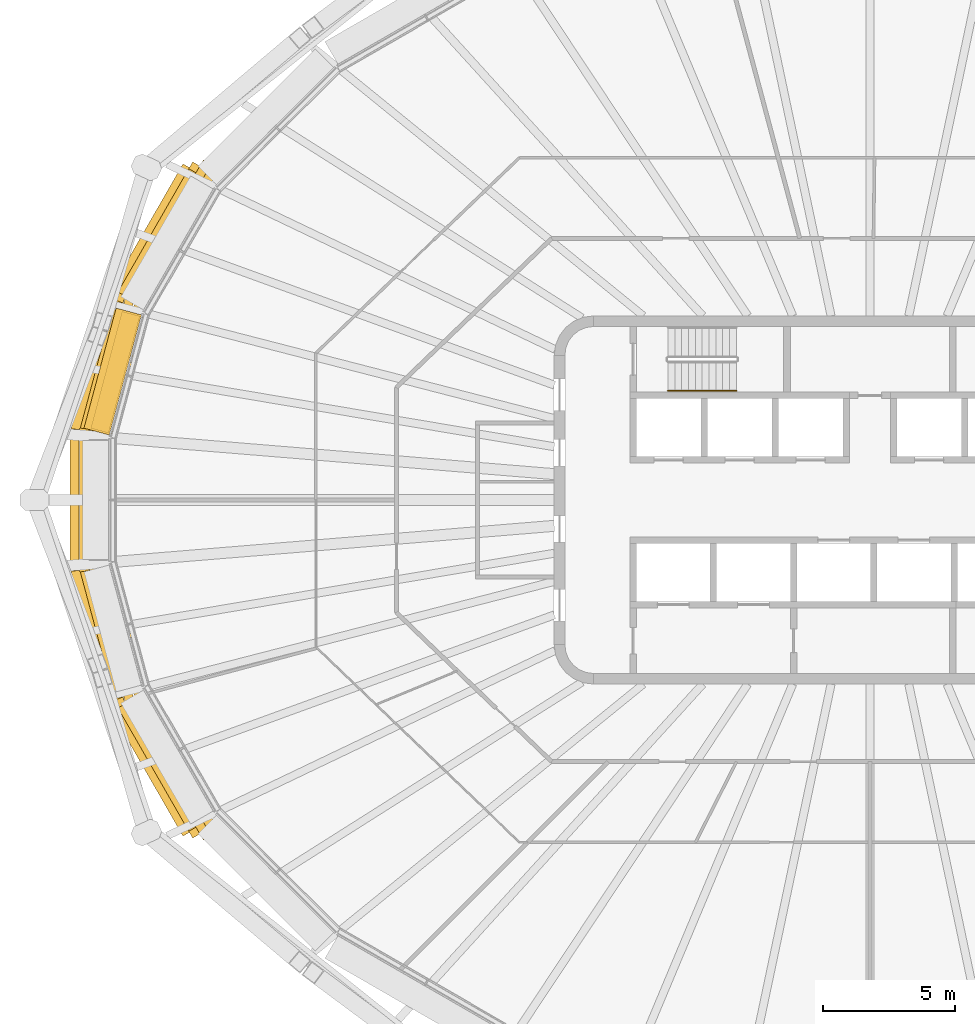
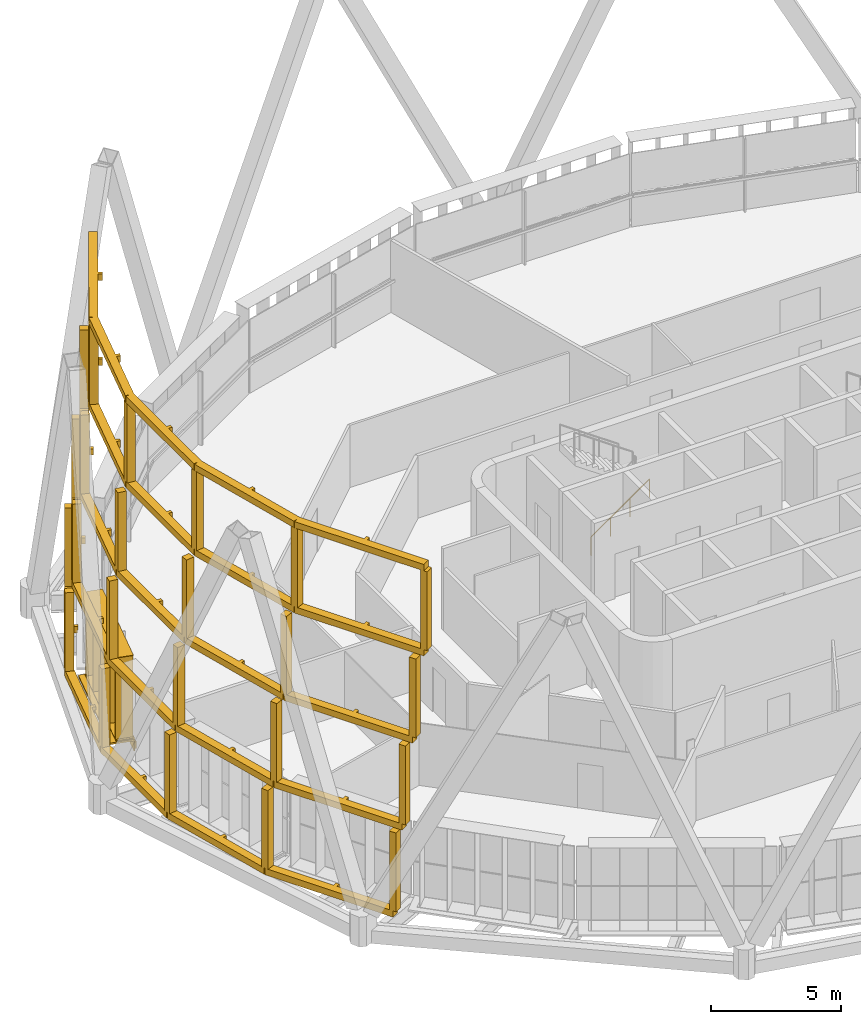
# One storey, part 18 of 22: 3 shading devices, 1 railing.
"""IFC4 building model written with IfcOpenShell, lengths in metres."""

from ifc_helpers import new_model, si_unit, direction, frame, origin, origin_2d, place, context, subcontext, project, spatial, polyline, rectangle, circle, outline, extrude, material, type_object, element, save


model = new_model("IFC4")

# Units and contexts
model_context = context("Model", 3, precision=1e-05, world=origin(), true_north=direction((0.0, 1.0)))
body_context = subcontext(model_context, "Body", "Model", "MODEL_VIEW")
ifc_project = project(units=[si_unit("LENGTHUNIT", "METRE"), si_unit("AREAUNIT", "SQUARE_METRE"), si_unit("VOLUMEUNIT", "CUBIC_METRE"), si_unit("PLANEANGLEUNIT", "RADIAN"), si_unit("MASSUNIT", "GRAM", prefix="KILO")], contexts=[model_context])

# Site, building, storey
site_placement = place(None, origin())
site = spatial("IfcSite", under=ifc_project, at=site_placement, CompositionType="ELEMENT")
building_placement = place(site_placement, origin())
building = spatial("IfcBuilding", under=site, at=building_placement, Name="Sahrelin Media Tower", CompositionType="ELEMENT")
storey_placement = place(building_placement, frame((0.0, 0.0, 283.0)))
storey = spatial("IfcBuildingStorey", under=building, at=storey_placement, Name="L62", CompositionType="ELEMENT", Elevation=283.0)

# Shading devices
ifc_material_1 = material(Name="Dark bronze anodised aluminium 6063-T6", Category="aluminium")
shading_device_type_1 = type_object("IfcShadingDeviceType", Name="Deep frame", PredefinedType="USERDEFINED", material=ifc_material_1)
shading_device_1_placement = place(storey_placement, frame((-24.890380859375, 11.89697265625, 0.0), z_axis=(0.0, 0.0, 1.0), x_axis=(0.500011000363, 0.866019052629, 0.0)))
element("IfcShadingDevice", 1, at=shading_device_1_placement, inside=storey, type_object=shading_device_type_1, Name="L62:FRAME:F5-6", ObjectType="FRAME", PredefinedType="USERDEFINED", context=body_context, shape_type="SweptSolid", body=[
    extrude(rectangle(XDim=0.300048828125, YDim=0.35009765625, at=origin_2d()), frame((0.0, 1.324951171875, 0.14990234375), z_axis=(0.0, 0.0, 1.0), x_axis=(-1.0, 0.0, 0.0)), (0.0, 0.0, 1.0), 3.7001953125),
    extrude(rectangle(XDim=0.300048828125, YDim=0.35009765625, at=origin_2d()), frame((-5.679931640625, 1.313720703125, 0.14990234375), z_axis=(0.0, 0.0, 1.0), x_axis=(-0.991436202368, -0.130591947046, 0.0)), (0.0, 0.0, 1.0), 3.7001953125),
    extrude(rectangle(XDim=0.300048828125, YDim=0.35009765625, at=origin_2d()), frame((-10.772705078125, -0.05078125, 0.14990234375), z_axis=(0.0, 0.0, 1.0), x_axis=(-0.923862165937, -0.382725356294, 0.0)), (0.0, 0.0, 1.0), 3.7001953125),
    extrude(rectangle(XDim=0.300048828125, YDim=0.35009765625, at=origin_2d()), frame((-15.17578125, -2.593017578125, 0.14990234375), z_axis=(0.0, 0.0, 1.0), x_axis=(-0.793352277801, -0.608762813671, 0.0)), (0.0, 0.0, 1.0), 3.7001953125),
    extrude(rectangle(XDim=0.300048828125, YDim=0.35009765625, at=origin_2d()), frame((-18.90380859375, -6.3212890625, 0.14990234375), z_axis=(0.0, 0.0, 1.0), x_axis=(-0.608762813671, -0.793352277801, 0.0)), (0.0, 0.0, 1.0), 3.7001953125),
    extrude(rectangle(XDim=0.300048828125, YDim=0.35009765625, at=origin_2d()), frame((-21.753662109375, -11.234619140625, 0.14990234375), z_axis=(0.0, 0.0, 1.0), x_axis=(-0.500010580459, -0.866019295067, 0.0)), (0.0, 0.0, 1.0), 3.7001953125),
    extrude(outline(polyline([(-21.905029296875, -11.146728515625), (-21.602294921875, -11.322265625), (-20.25830078125, -9.0048828125), (-20.10693359375, -9.09228515625), (-20.031982421875, -8.96240234375), (-20.18310546875, -8.875244140625), (-18.763916015625, -6.4287109375), (-16.968994140625, -4.6337890625), (-16.849853515625, -4.753173828125), (-16.743896484375, -4.647216796875), (-16.863037109375, -4.52783203125), (-15.068359375, -2.733154296875), (-12.95166015625, -1.510986328125), (-12.867431640625, -1.656982421875), (-12.737548828125, -1.58203125), (-12.82177734375, -1.43603515625), (-10.705078125, -0.214111328125), (-8.25341796875, 0.44287109375), (-8.209716796875, 0.280029296875), (-8.06494140625, 0.31884765625), (-8.108642578125, 0.481689453125), (-5.65673828125, 1.138671875), (-2.82861328125, 1.144287109375), (-2.82861328125, 0.969970703125), (-2.678466796875, 0.969970703125), (-2.678466796875, 1.144775390625), (0.000244140625, 1.14990234375), (-0.000244140625, 1.5), (-5.680419921875, 1.48876953125), (-5.679931640625, 1.313720703125), (-5.72509765625, 1.482666015625), (-10.818115234375, 0.1181640625), (-10.772705078125, -0.05078125), (-10.860107421875, 0.1005859375), (-15.26318359375, -2.44140625), (-15.17578125, -2.593017578125), (-15.299560546875, -2.46923828125), (-19.027587890625, -6.197509765625), (-18.90380859375, -6.3212890625), (-19.055419921875, -6.2333984375), (-21.905029296875, -11.146728515625)])), frame((0.0, 0.0, -0.14990234375)), (0.0, 0.0, 1.0), 0.2998046875),
    extrude(rectangle(XDim=0.300048828125, YDim=0.35009765625, at=origin_2d()), frame((0.251708984375, 1.041748046875, 4.14990234375), z_axis=(0.0, 0.0, 1.0), x_axis=(-1.0, 0.0, 0.0)), (0.0, 0.0, 1.0), 3.7001953125),
    extrude(rectangle(XDim=0.300048828125, YDim=0.35009765625, at=origin_2d()), frame((-5.44775390625, 1.030517578125, 4.14990234375), z_axis=(0.0, 0.0, 1.0), x_axis=(-0.991447594891, -0.130505427419, 0.0)), (0.0, 0.0, 1.0), 3.7001953125),
    extrude(rectangle(XDim=0.300048828125, YDim=0.35009765625, at=origin_2d()), frame((-10.577880859375, -0.34423828125, 4.14990234375), z_axis=(0.0, 0.0, 1.0), x_axis=(-0.923876860854, -0.382689882252, 0.0)), (0.0, 0.0, 1.0), 3.7001953125),
    extrude(rectangle(XDim=0.300048828125, YDim=0.35009765625, at=origin_2d()), frame((-15.019287109375, -2.908447265625, 4.14990234375), z_axis=(0.0, 0.0, 1.0), x_axis=(-0.793362902596, -0.608748966968, 0.0)), (0.0, 0.0, 1.0), 3.7001953125),
    extrude(rectangle(XDim=0.300048828125, YDim=0.35009765625, at=origin_2d()), frame((-18.774658203125, -6.663818359375, 4.14990234375), z_axis=(0.0, 0.0, 1.0), x_axis=(-0.608811275668, -0.793315089117, 0.0)), (0.0, 0.0, 1.0), 3.7001953125),
    extrude(rectangle(XDim=0.300048828125, YDim=0.35009765625, at=origin_2d()), frame((-21.63427734375, -11.593994140625, 4.14990234375), z_axis=(0.0, 0.0, 1.0), x_axis=(-0.499968258175, -0.86604372916, 0.0)), (0.0, 0.0, 1.0), 3.7001953125),
    extrude(outline(polyline([(-21.78564453125, -11.50634765625), (-21.48291015625, -11.681884765625), (-20.1337890625, -9.356201171875), (-19.982666015625, -9.443603515625), (-19.90771484375, -9.313720703125), (-20.05859375, -9.226318359375), (-18.634765625, -6.771484375), (-16.826171875, -4.962890625), (-16.706787109375, -5.082275390625), (-16.600830078125, -4.97607421875), (-16.72021484375, -4.856689453125), (-14.91162109375, -3.04833984375), (-12.77587890625, -1.815185546875), (-12.691650390625, -1.96142578125), (-12.561767578125, -1.886474609375), (-12.64599609375, -1.740234375), (-10.510498046875, -0.50732421875), (-8.0400390625, 0.154541015625), (-7.996337890625, -0.00830078125), (-7.8515625, 0.030517578125), (-7.89501953125, 0.193603515625), (-5.424560546875, 0.85546875), (-2.586669921875, 0.861083984375), (-2.586669921875, 0.686767578125), (-2.4365234375, 0.686767578125), (-2.4365234375, 0.861328125), (0.251953125, 0.86669921875), (0.251220703125, 1.216796875), (-5.447998046875, 1.205322265625), (-5.44775390625, 1.030517578125), (-5.4931640625, 1.199462890625), (-10.623291015625, -0.17529296875), (-10.577880859375, -0.34423828125), (-10.665283203125, -0.192626953125), (-15.106689453125, -2.7568359375), (-15.019287109375, -2.908447265625), (-15.142822265625, -2.78466796875), (-18.8984375, -6.5400390625), (-18.774658203125, -6.663818359375), (-18.926025390625, -6.576171875), (-21.78564453125, -11.50634765625)])), frame((0.0, 0.0, 3.85009765625)), (0.0, 0.0, 1.0), 0.2998046875),
    extrude(rectangle(XDim=0.300048828125, YDim=0.35009765625, at=origin_2d()), frame((0.530517578125, 0.72998046875, 8.14990234375), z_axis=(0.0, 0.0, 1.0), x_axis=(-1.0, 0.0, 0.0)), (0.0, 0.0, 1.0), 3.7001953125),
    extrude(rectangle(XDim=0.300048828125, YDim=0.35009765625, at=origin_2d()), frame((-5.190185546875, 0.718505859375, 8.14990234375), z_axis=(0.0, 0.0, 1.0), x_axis=(-0.991449189241, -0.130493314592, 0.0)), (0.0, 0.0, 1.0), 3.7001953125),
    extrude(rectangle(XDim=0.300048828125, YDim=0.35009765625, at=origin_2d()), frame((-10.362548828125, -0.667236328125, 8.14990234375), z_axis=(0.0, 0.0, 1.0), x_axis=(-0.923862165937, -0.382725356294, 0.0)), (0.0, 0.0, 1.0), 3.7001953125),
    extrude(rectangle(XDim=0.300048828125, YDim=0.35009765625, at=origin_2d()), frame((-14.84716796875, -3.25634765625, 8.14990234375), z_axis=(0.0, 0.0, 1.0), x_axis=(-0.793400087474, -0.608700502051, 0.0)), (0.0, 0.0, 1.0), 3.7001953125),
    extrude(rectangle(XDim=0.300048828125, YDim=0.35009765625, at=origin_2d()), frame((-18.63330078125, -7.042724609375, 8.14990234375), z_axis=(0.0, 0.0, 1.0), x_axis=(-0.608762813671, -0.793352277801, 0.0)), (0.0, 0.0, 1.0), 3.7001953125),
    extrude(rectangle(XDim=0.300048828125, YDim=0.35009765625, at=origin_2d()), frame((-21.503662109375, -11.9912109375, 8.14990234375), z_axis=(0.0, 0.0, 1.0), x_axis=(-0.499968258175, -0.86604372916, 0.0)), (0.0, 0.0, 1.0), 3.7001953125),
    extrude(outline(polyline([(-21.65478515625, -11.903564453125), (-21.352294921875, -12.0791015625), (-19.997802734375, -9.744140625), (-19.8466796875, -9.83154296875), (-19.771728515625, -9.70166015625), (-19.922607421875, -9.614501953125), (-18.493408203125, -7.150390625), (-16.66943359375, -5.326416015625), (-16.55029296875, -5.445556640625), (-16.444091796875, -5.339599609375), (-16.5634765625, -5.22021484375), (-14.73974609375, -3.396484375), (-12.582275390625, -2.15087890625), (-12.498046875, -2.296875), (-12.3681640625, -2.221923828125), (-12.452392578125, -2.07568359375), (-10.294921875, -0.830322265625), (-7.8037109375, -0.16259765625), (-7.760009765625, -0.32568359375), (-7.614990234375, -0.286865234375), (-7.65869140625, -0.123779296875), (-5.1669921875, 0.543701171875), (-2.318603515625, 0.54931640625), (-2.318603515625, 0.375), (-2.16845703125, 0.375), (-2.16845703125, 0.549560546875), (0.53076171875, 0.554931640625), (0.530029296875, 0.905029296875), (-5.190673828125, 0.8935546875), (-5.190185546875, 0.718505859375), (-5.235595703125, 0.8876953125), (-10.407958984375, -0.498291015625), (-10.362548828125, -0.667236328125), (-10.4501953125, -0.515625), (-14.9345703125, -3.104736328125), (-14.84716796875, -3.25634765625), (-14.970947265625, -3.132568359375), (-18.757080078125, -6.9189453125), (-18.63330078125, -7.042724609375), (-18.784912109375, -6.954833984375), (-21.65478515625, -11.903564453125)])), frame((0.0, 0.0, 7.85009765625)), (0.0, 0.0, 1.0), 0.2998046875),
    extrude(rectangle(XDim=0.300048828125, YDim=0.35009765625, at=origin_2d()), frame((0.836669921875, 0.389892578125, 12.14990234375), z_axis=(0.0, 0.0, 1.0), x_axis=(-0.999999995051, 9.9483767e-05, 0.0)), (0.0, 0.0, 1.0), 3.7001953125),
    extrude(rectangle(XDim=0.300048828125, YDim=0.35009765625, at=origin_2d()), frame((-4.9072265625, 0.378662109375, 12.14990234375), z_axis=(0.0, 0.0, 1.0), x_axis=(-0.991447594891, -0.130505427419, 0.0)), (0.0, 0.0, 1.0), 3.7001953125),
    extrude(rectangle(XDim=0.300048828125, YDim=0.35009765625, at=origin_2d()), frame((-10.126708984375, -1.02001953125, 12.14990234375), z_axis=(0.0, 0.0, 1.0), x_axis=(-0.923876860854, -0.382689882252, 0.0)), (0.0, 0.0, 1.0), 3.7001953125),
    extrude(rectangle(XDim=0.300048828125, YDim=0.35009765625, at=origin_2d()), frame((-14.65966796875, -3.63720703125, 12.14990234375), z_axis=(0.0, 0.0, 1.0), x_axis=(-0.793352277801, -0.608762813671, 0.0)), (0.0, 0.0, 1.0), 3.7001953125),
    extrude(rectangle(XDim=0.300048828125, YDim=0.35009765625, at=origin_2d()), frame((-18.48046875, -7.4580078125, 12.14990234375), z_axis=(0.0, 0.0, 1.0), x_axis=(-0.608748966968, -0.793362902596, 0.0)), (0.0, 0.0, 1.0), 3.7001953125),
    extrude(rectangle(XDim=0.300048828125, YDim=0.35009765625, at=origin_2d()), frame((-21.3623046875, -12.4267578125, 12.14990234375), z_axis=(0.0, 0.0, 1.0), x_axis=(-0.500010580459, -0.866019295067, 0.0)), (0.0, 0.0, 1.0), 3.7001953125),
    extrude(outline(polyline([(-21.513427734375, -12.3388671875), (-21.210693359375, -12.514404296875), (-19.850830078125, -10.16943359375), (-19.699462890625, -10.2568359375), (-19.62451171875, -10.126953125), (-19.775390625, -10.039794921875), (-18.340576171875, -7.565673828125), (-16.499267578125, -5.724365234375), (-16.380126953125, -5.843505859375), (-16.27392578125, -5.737548828125), (-16.393310546875, -5.618408203125), (-14.552001953125, -3.777099609375), (-12.37060546875, -2.517578125), (-12.2861328125, -2.663818359375), (-12.15625, -2.588623046875), (-12.240478515625, -2.442626953125), (-10.05908203125, -1.18310546875), (-7.5439453125, -0.509033203125), (-7.50048828125, -0.672119140625), (-7.35546875, -0.63330078125), (-7.399169921875, -0.47021484375), (-4.884033203125, 0.20361328125), (-2.023681640625, 0.209228515625), (-2.023681640625, 0.034912109375), (-1.873779296875, 0.034912109375), (-1.873779296875, 0.20947265625), (0.8369140625, 0.21484375), (0.836181640625, 0.564697265625), (-4.907470703125, 0.5537109375), (-4.9072265625, 0.378662109375), (-4.952392578125, 0.547607421875), (-10.171875, -0.850830078125), (-10.126708984375, -1.02001953125), (-10.214111328125, -0.868408203125), (-14.7470703125, -3.485595703125), (-14.65966796875, -3.63720703125), (-14.783203125, -3.513427734375), (-18.604248046875, -7.334228515625), (-18.48046875, -7.4580078125), (-18.6318359375, -7.3701171875), (-21.513427734375, -12.3388671875)])), frame((0.0, 0.0, 11.85009765625)), (0.0, 0.0, 1.0), 0.2998046875),
    extrude(outline(polyline([(-21.513427734375, -12.3388671875), (-21.210693359375, -12.514404296875), (-19.850830078125, -10.16943359375), (-19.699462890625, -10.2568359375), (-19.62451171875, -10.126953125), (-19.775390625, -10.039794921875), (-18.340576171875, -7.565673828125), (-16.499267578125, -5.724365234375), (-16.380126953125, -5.843505859375), (-16.27392578125, -5.737548828125), (-16.393310546875, -5.618408203125), (-14.552001953125, -3.777099609375), (-12.37060546875, -2.517578125), (-12.2861328125, -2.663818359375), (-12.15625, -2.588623046875), (-12.240478515625, -2.442626953125), (-10.05908203125, -1.18310546875), (-7.5439453125, -0.509033203125), (-7.50048828125, -0.672119140625), (-7.35546875, -0.63330078125), (-7.399169921875, -0.47021484375), (-4.884033203125, 0.20361328125), (-2.023681640625, 0.209228515625), (-2.023681640625, 0.034912109375), (-1.873779296875, 0.034912109375), (-1.873779296875, 0.20947265625), (0.8369140625, 0.21484375), (0.836181640625, 0.564697265625), (-4.907470703125, 0.5537109375), (-4.9072265625, 0.378662109375), (-4.952392578125, 0.547607421875), (-10.171875, -0.850830078125), (-10.126708984375, -1.02001953125), (-10.214111328125, -0.868408203125), (-14.7470703125, -3.485595703125), (-14.65966796875, -3.63720703125), (-14.783203125, -3.513427734375), (-18.604248046875, -7.334228515625), (-18.48046875, -7.4580078125), (-18.6318359375, -7.3701171875), (-21.513427734375, -12.3388671875)])), frame((0.0, 0.0, 15.85009765625)), (0.0, 0.0, 1.0), 0.2998046875),
])
ifc_material_2 = material(Name="Champagne anodised aluminium 6063-T6", Category="aluminium")
shading_device_type_2 = type_object("IfcShadingDeviceType", Name="Fin cassette", PredefinedType="USERDEFINED", material=ifc_material_2)
placement = place(storey_placement, frame((-28.28125, 4.74853515625, 0.0), z_axis=(0.0, 0.0, 1.0), x_axis=(0.258807731996, 0.965928857556, 0.0)))
element("IfcShadingDevice", 2, at=placement, inside=storey, type_object=shading_device_type_2, Name="L62:FIN:L62-11", ObjectType="FIN", PredefinedType="USERDEFINED", context=body_context, shape_type="SweptSolid", body=[
    extrude(rectangle(XDim=4.60009765625, YDim=0.699951171875, at=origin_2d()), frame((0.0, 0.419921875, 0.0)), (0.0, 0.0, 1.0), 0.02001953125),
    extrude(rectangle(XDim=4.60009765625, YDim=0.699951171875, at=origin_2d()), frame((0.0, 0.419921875, 3.89990234375)), (0.0, 0.0, 1.0), 0.02001953125),
    extrude(rectangle(XDim=0.02001953125, YDim=0.699951171875, at=origin_2d()), frame((-2.199951171875, 0.419921875, 0.010009765625), z_axis=(0.0, 0.0, 1.0), x_axis=(1.0, 0.0, 0.0)), (0.0, 0.0, 1.0), 3.89990234375),
    extrude(rectangle(XDim=0.02001953125, YDim=0.699951171875, at=origin_2d()), frame((-1.10009765625, 0.419921875, 0.010009765625), z_axis=(0.0, 0.0, 1.0), x_axis=(1.0, 0.0, 0.0)), (0.0, 0.0, 1.0), 3.89990234375),
    extrude(rectangle(XDim=0.02001953125, YDim=0.699951171875, at=origin_2d()), frame((0.0, 0.419921875, 0.010009765625), z_axis=(0.0, 0.0, 1.0), x_axis=(1.0, 0.0, 0.0)), (0.0, 0.0, 1.0), 3.89990234375),
    extrude(rectangle(XDim=0.02001953125, YDim=0.699951171875, at=origin_2d()), frame((1.10009765625, 0.419921875, 0.010009765625), z_axis=(0.0, 0.0, 1.0), x_axis=(1.0, 0.0, 0.0)), (0.0, 0.0, 1.0), 3.89990234375),
    extrude(rectangle(XDim=0.02001953125, YDim=0.699951171875, at=origin_2d()), frame((2.199951171875, 0.419921875, 0.010009765625), z_axis=(0.0, 0.0, 1.0), x_axis=(1.0, 0.0, 0.0)), (0.0, 0.0, 1.0), 3.89990234375),
])

# Railing
ifc_material_3 = material(Name="Steel S355", Category="steel")
railing_type = type_object("IfcRailingType", Name="Stair handrail 900", PredefinedType="HANDRAIL", material=ifc_material_3)
railing_placement = place(storey_placement, frame((-7.675048828125, 4.14990234375, 0.181884765625)))
element("IfcRailing", 3, at=railing_placement, inside=storey, type_object=railing_type, Name="L62 ST1 stair handrail 1", PredefinedType="HANDRAIL", context=body_context, shape_type="SweptSolid", body=[
    extrude(circle(Radius=0.02392578125, at=origin_2d()), frame((0.0, 0.0, 0.8759765625), z_axis=(0.819521025635, 0.0, 0.573049115296), x_axis=(0.0, 1.0, 0.0)), (0.0, 0.0, 1.0), 3.172607421875),
    extrude(circle(Radius=0.02099609375, at=origin_2d()), origin(), (0.0, 0.0, 1.0), 0.851806640625),
    extrude(circle(Radius=0.02099609375, at=origin_2d()), frame((0.86669921875, 0.0, 0.60595703125)), (0.0, 0.0, 1.0), 0.851806640625),
    extrude(circle(Radius=0.02099609375, at=origin_2d()), frame((1.7333984375, 0.0, 1.212158203125)), (0.0, 0.0, 1.0), 0.851806640625),
    extrude(circle(Radius=0.02099609375, at=origin_2d()), frame((2.60009765625, 0.0, 1.818115234375)), (0.0, 0.0, 1.0), 0.851806640625),
])

# Shading device
shading_device_type_3 = type_object("IfcShadingDeviceType", Name="Sunshade band", PredefinedType="USERDEFINED", material=ifc_material_2)
element("IfcShadingDevice", 4, at=placement, inside=storey, type_object=shading_device_type_3, Name="L62:SUN:L62-11", ObjectType="SUNSHADE", PredefinedType="USERDEFINED", context=body_context, shape_type="SweptSolid", body=[
    extrude(rectangle(XDim=4.7265625, YDim=0.050048828125, at=origin_2d()), frame((0.0, 0.044921875, -0.55126953125)), (0.0, 0.0, 1.0), 0.471435546875),
    extrude(rectangle(XDim=4.7265625, YDim=1.0, at=origin_2d()), frame((0.0, 0.52001953125, -0.080078125)), (0.0, 0.0, 1.0), 0.080078125),
    extrude(rectangle(XDim=0.10009765625, YDim=0.074951171875, at=origin_2d()), frame((-2.26318359375, -0.017578125, -0.47021484375)), (0.0, 0.0, 1.0), 0.300048828125),
    extrude(rectangle(XDim=0.10009765625, YDim=0.074951171875, at=origin_2d()), frame((-0.75439453125, -0.017578125, -0.47021484375)), (0.0, 0.0, 1.0), 0.300048828125),
    extrude(rectangle(XDim=0.10009765625, YDim=0.074951171875, at=origin_2d()), frame((0.75439453125, -0.017578125, -0.47021484375)), (0.0, 0.0, 1.0), 0.300048828125),
    extrude(rectangle(XDim=0.10009765625, YDim=0.074951171875, at=origin_2d()), frame((2.26318359375, -0.017578125, -0.47021484375)), (0.0, 0.0, 1.0), 0.300048828125),
])

save(model, "model.ifc")
